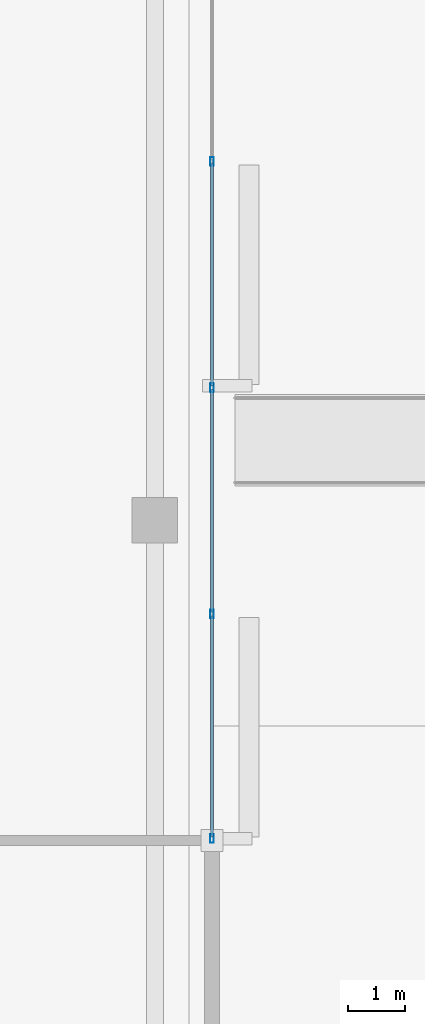
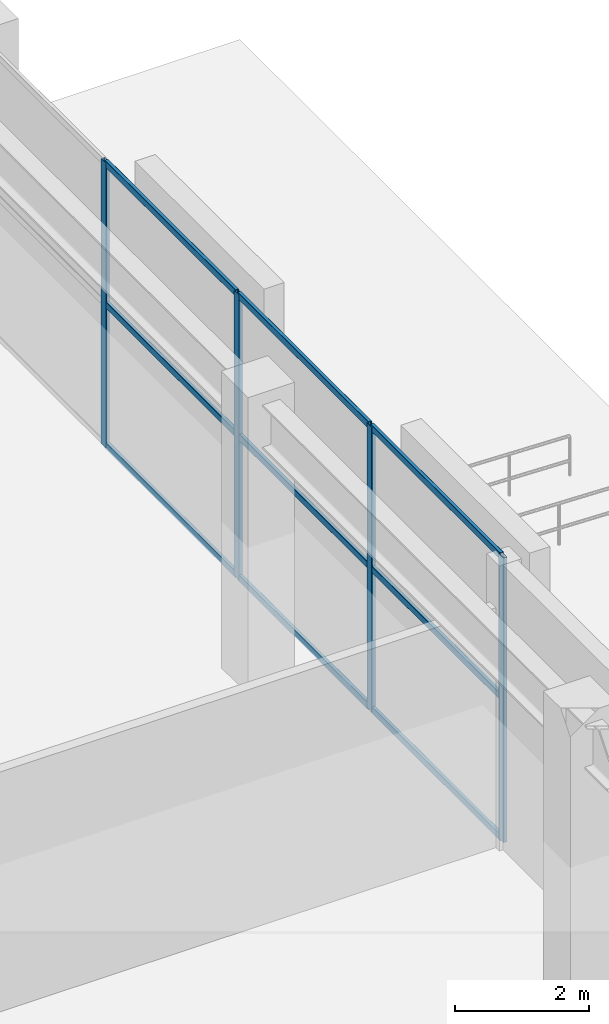
# One storey, part 2 of 16: 13 members, 1 element without a shape of its own.
"""IFC4 building model written with IfcOpenShell, lengths in metres."""

from ifc_helpers import new_model, si_unit, direction, frame, origin, origin_2d, place, context, subcontext, project, spatial, hollow_rectangle, extrude, material, layer, layer_set, material_profile, profile_set, type_object, element, aggregate, save


model = new_model("IFC4")

# Units and contexts
model_context = context("Model", 3, precision=1e-05, world=origin(), true_north=direction((0.0, 1.0)))
body_context = subcontext(model_context, "Body", "Model", "MODEL_VIEW")
ifc_project = project(units=[si_unit("LENGTHUNIT", "METRE"), si_unit("AREAUNIT", "SQUARE_METRE"), si_unit("VOLUMEUNIT", "CUBIC_METRE"), si_unit("PLANEANGLEUNIT", "RADIAN"), si_unit("MASSUNIT", "GRAM", prefix="KILO")], contexts=[model_context])

# Site, building, storey
site_placement = place(None, origin())
site = spatial("IfcSite", under=ifc_project, at=site_placement, CompositionType="ELEMENT")
building_placement = place(site_placement, origin())
building = spatial("IfcBuilding", under=site, at=building_placement, Name="An Khanh Terracotta Commons", CompositionType="ELEMENT")
storey_placement = place(building_placement, origin())
storey = spatial("IfcBuildingStorey", under=building, at=storey_placement, Name="L01", CompositionType="ELEMENT", Elevation=0.0)

# Curtain wall, members
ifc_material = material(Name="Anodised Aluminium 6063-T6", Category="aluminium")
ifc_layer = layer(ifc_material, 0.179931640625, Name="Anodised Aluminium 6063-T6")
ifc_layer_set = layer_set([ifc_layer], Name="Anodised Aluminium 6063-T6")
curtain_wall_type = type_object("IfcCurtainWallType", Name="CW-SYS-01", PredefinedType="USERDEFINED", material=ifc_layer_set)
curtain_wall_placement = place(storey_placement, origin())
curtain_wall = element("IfcCurtainWall", 1, at=curtain_wall_placement, inside=storey, type_object=curtain_wall_type, Name="L01 CW-01 Unitised Curtain Wall CW-L01-EAST", ObjectType="UNITISED CURTAIN WALL", PredefinedType="USERDEFINED")
ifc_material_profile_1 = material_profile(ifc_material, hollow_rectangle(XDim=0.06494140625, YDim=0.14990234375, WallThickness=0.00390625, InnerFilletRadius=0.00390625, OuterFilletRadius=0.008056640625, at=origin_2d()), Name="RHS150x65x4")
ifc_profile_set_1 = profile_set([ifc_material_profile_1], Name="Anodised Aluminium 6063-T6")
member_type_1 = type_object("IfcMemberType", Name="CWM-RHS150x65x4", PredefinedType="MULLION", material=ifc_profile_set_1)
member_1_placement = place(storey_placement, frame((73.800048828125, 28.032470703125, 0.0), z_axis=(0.0, 0.0, 1.0), x_axis=(-1.0, 0.0, 0.0)))
member_1 = element("IfcMember", 2, at=member_1_placement, type_object=member_type_1, Name="CW-01 mullion 1", PredefinedType="MULLION", context=body_context, shape_type="SweptSolid", body=[
    extrude(hollow_rectangle(XDim=0.06494140625, YDim=0.14990234375, WallThickness=0.00390625, InnerFilletRadius=0.00390625, OuterFilletRadius=0.008056640625, at=origin_2d()), origin(), (0.0, 0.0, 1.0), 5.179931640625),
])
member_2_placement = place(storey_placement, frame((73.800048828125, 31.9599609375, 0.0), z_axis=(0.0, 0.0, 1.0), x_axis=(-1.0, 0.0, 0.0)))
member_2 = element("IfcMember", 3, at=member_2_placement, type_object=member_type_1, Name="CW-01 mullion 2", PredefinedType="MULLION", context=body_context, shape_type="SweptSolid", body=[
    extrude(hollow_rectangle(XDim=0.06494140625, YDim=0.14990234375, WallThickness=0.00390625, InnerFilletRadius=0.00390625, OuterFilletRadius=0.008056640625, at=origin_2d()), origin(), (0.0, 0.0, 1.0), 5.179931640625),
])
member_3_placement = place(storey_placement, frame((73.800048828125, 35.919921875, 0.0), z_axis=(0.0, 0.0, 1.0), x_axis=(-1.0, 0.0, 0.0)))
member_3 = element("IfcMember", 4, at=member_3_placement, type_object=member_type_1, Name="CW-01 mullion 3", PredefinedType="MULLION", context=body_context, shape_type="SweptSolid", body=[
    extrude(hollow_rectangle(XDim=0.06494140625, YDim=0.14990234375, WallThickness=0.00390625, InnerFilletRadius=0.00390625, OuterFilletRadius=0.008056640625, at=origin_2d()), origin(), (0.0, 0.0, 1.0), 5.179931640625),
])
member_4_placement = place(storey_placement, frame((73.800048828125, 39.8798828125, 0.0), z_axis=(0.0, 0.0, 1.0), x_axis=(-1.0, 0.0, 0.0)))
member_4 = element("IfcMember", 5, at=member_4_placement, type_object=member_type_1, Name="CW-01 mullion 4", PredefinedType="MULLION", context=body_context, shape_type="SweptSolid", body=[
    extrude(hollow_rectangle(XDim=0.06494140625, YDim=0.14990234375, WallThickness=0.00390625, InnerFilletRadius=0.00390625, OuterFilletRadius=0.008056640625, at=origin_2d()), origin(), (0.0, 0.0, 1.0), 5.179931640625),
])
ifc_material_profile_2 = material_profile(ifc_material, hollow_rectangle(XDim=0.06005859375, YDim=0.1201171875, WallThickness=0.003662109375, InnerFilletRadius=0.003662109375, OuterFilletRadius=0.007080078125, at=origin_2d()), Name="RHS120x60x3.6")
ifc_profile_set_2 = profile_set([ifc_material_profile_2], Name="Anodised Aluminium 6063-T6")
member_type_2 = type_object("IfcMemberType", Name="CWT-RHS120x60x3.6", PredefinedType="USERDEFINED", material=ifc_profile_set_2)
member_5_placement = place(storey_placement, frame((73.800048828125, 28.06494140625, 0.030029296875), z_axis=(0.0, 1.0, 0.0), x_axis=(-1.0, 0.0, 0.0)))
member_5 = element("IfcMember", 6, at=member_5_placement, type_object=member_type_2, Name="CW-01 transom 1.1", ObjectType="TRANSOM", PredefinedType="USERDEFINED", context=body_context, shape_type="SweptSolid", body=[
    extrude(hollow_rectangle(XDim=0.06005859375, YDim=0.1201171875, WallThickness=0.003662109375, InnerFilletRadius=0.003662109375, OuterFilletRadius=0.007080078125, at=origin_2d()), origin(), (0.0, 0.0, 1.0), 3.862548828125),
])
member_6_placement = place(storey_placement, frame((73.800048828125, 28.06494140625, 2.590087890625), z_axis=(0.0, 1.0, 0.0), x_axis=(-1.0, 0.0, 0.0)))
member_6 = element("IfcMember", 7, at=member_6_placement, type_object=member_type_2, Name="CW-01 transom 1.2", ObjectType="TRANSOM", PredefinedType="USERDEFINED", context=body_context, shape_type="SweptSolid", body=[
    extrude(hollow_rectangle(XDim=0.06005859375, YDim=0.1201171875, WallThickness=0.003662109375, InnerFilletRadius=0.003662109375, OuterFilletRadius=0.007080078125, at=origin_2d()), origin(), (0.0, 0.0, 1.0), 3.862548828125),
])
member_7_placement = place(storey_placement, frame((73.800048828125, 28.06494140625, 5.14990234375), z_axis=(0.0, 1.0, 0.0), x_axis=(-1.0, 0.0, 0.0)))
member_7 = element("IfcMember", 8, at=member_7_placement, type_object=member_type_2, Name="CW-01 transom 1.3", ObjectType="TRANSOM", PredefinedType="USERDEFINED", context=body_context, shape_type="SweptSolid", body=[
    extrude(hollow_rectangle(XDim=0.06005859375, YDim=0.1201171875, WallThickness=0.003662109375, InnerFilletRadius=0.003662109375, OuterFilletRadius=0.007080078125, at=origin_2d()), origin(), (0.0, 0.0, 1.0), 3.862548828125),
])
member_8_placement = place(storey_placement, frame((73.800048828125, 31.992431640625, 0.030029296875), z_axis=(0.0, 1.0, 0.0), x_axis=(-1.0, 0.0, 0.0)))
member_8 = element("IfcMember", 9, at=member_8_placement, type_object=member_type_2, Name="CW-01 transom 2.1", ObjectType="TRANSOM", PredefinedType="USERDEFINED", context=body_context, shape_type="SweptSolid", body=[
    extrude(hollow_rectangle(XDim=0.06005859375, YDim=0.1201171875, WallThickness=0.003662109375, InnerFilletRadius=0.003662109375, OuterFilletRadius=0.007080078125, at=origin_2d()), origin(), (0.0, 0.0, 1.0), 3.89501953125),
])
member_9_placement = place(storey_placement, frame((73.800048828125, 31.992431640625, 2.590087890625), z_axis=(0.0, 1.0, 0.0), x_axis=(-1.0, 0.0, 0.0)))
member_9 = element("IfcMember", 10, at=member_9_placement, type_object=member_type_2, Name="CW-01 transom 2.2", ObjectType="TRANSOM", PredefinedType="USERDEFINED", context=body_context, shape_type="SweptSolid", body=[
    extrude(hollow_rectangle(XDim=0.06005859375, YDim=0.1201171875, WallThickness=0.003662109375, InnerFilletRadius=0.003662109375, OuterFilletRadius=0.007080078125, at=origin_2d()), origin(), (0.0, 0.0, 1.0), 3.89501953125),
])
member_10_placement = place(storey_placement, frame((73.800048828125, 31.992431640625, 5.14990234375), z_axis=(0.0, 1.0, 0.0), x_axis=(-1.0, 0.0, 0.0)))
member_10 = element("IfcMember", 11, at=member_10_placement, type_object=member_type_2, Name="CW-01 transom 2.3", ObjectType="TRANSOM", PredefinedType="USERDEFINED", context=body_context, shape_type="SweptSolid", body=[
    extrude(hollow_rectangle(XDim=0.06005859375, YDim=0.1201171875, WallThickness=0.003662109375, InnerFilletRadius=0.003662109375, OuterFilletRadius=0.007080078125, at=origin_2d()), origin(), (0.0, 0.0, 1.0), 3.89501953125),
])
member_11_placement = place(storey_placement, frame((73.800048828125, 35.952392578125, 0.030029296875), z_axis=(0.0, 1.0, 0.0), x_axis=(-1.0, 0.0, 0.0)))
member_11 = element("IfcMember", 12, at=member_11_placement, type_object=member_type_2, Name="CW-01 transom 3.1", ObjectType="TRANSOM", PredefinedType="USERDEFINED", context=body_context, shape_type="SweptSolid", body=[
    extrude(hollow_rectangle(XDim=0.06005859375, YDim=0.1201171875, WallThickness=0.003662109375, InnerFilletRadius=0.003662109375, OuterFilletRadius=0.007080078125, at=origin_2d()), origin(), (0.0, 0.0, 1.0), 3.89501953125),
])
member_12_placement = place(storey_placement, frame((73.800048828125, 35.952392578125, 2.590087890625), z_axis=(0.0, 1.0, 0.0), x_axis=(-1.0, 0.0, 0.0)))
member_12 = element("IfcMember", 13, at=member_12_placement, type_object=member_type_2, Name="CW-01 transom 3.2", ObjectType="TRANSOM", PredefinedType="USERDEFINED", context=body_context, shape_type="SweptSolid", body=[
    extrude(hollow_rectangle(XDim=0.06005859375, YDim=0.1201171875, WallThickness=0.003662109375, InnerFilletRadius=0.003662109375, OuterFilletRadius=0.007080078125, at=origin_2d()), origin(), (0.0, 0.0, 1.0), 3.89501953125),
])
member_13_placement = place(storey_placement, frame((73.800048828125, 35.952392578125, 5.14990234375), z_axis=(0.0, 1.0, 0.0), x_axis=(-1.0, 0.0, 0.0)))
member_13 = element("IfcMember", 14, at=member_13_placement, type_object=member_type_2, Name="CW-01 transom 3.3", ObjectType="TRANSOM", PredefinedType="USERDEFINED", context=body_context, shape_type="SweptSolid", body=[
    extrude(hollow_rectangle(XDim=0.06005859375, YDim=0.1201171875, WallThickness=0.003662109375, InnerFilletRadius=0.003662109375, OuterFilletRadius=0.007080078125, at=origin_2d()), origin(), (0.0, 0.0, 1.0), 3.89501953125),
])
aggregate(curtain_wall, [member_1, member_2, member_3, member_4, member_5, member_6, member_7, member_8, member_9, member_10, member_11, member_12, member_13])

save(model, "model.ifc")
